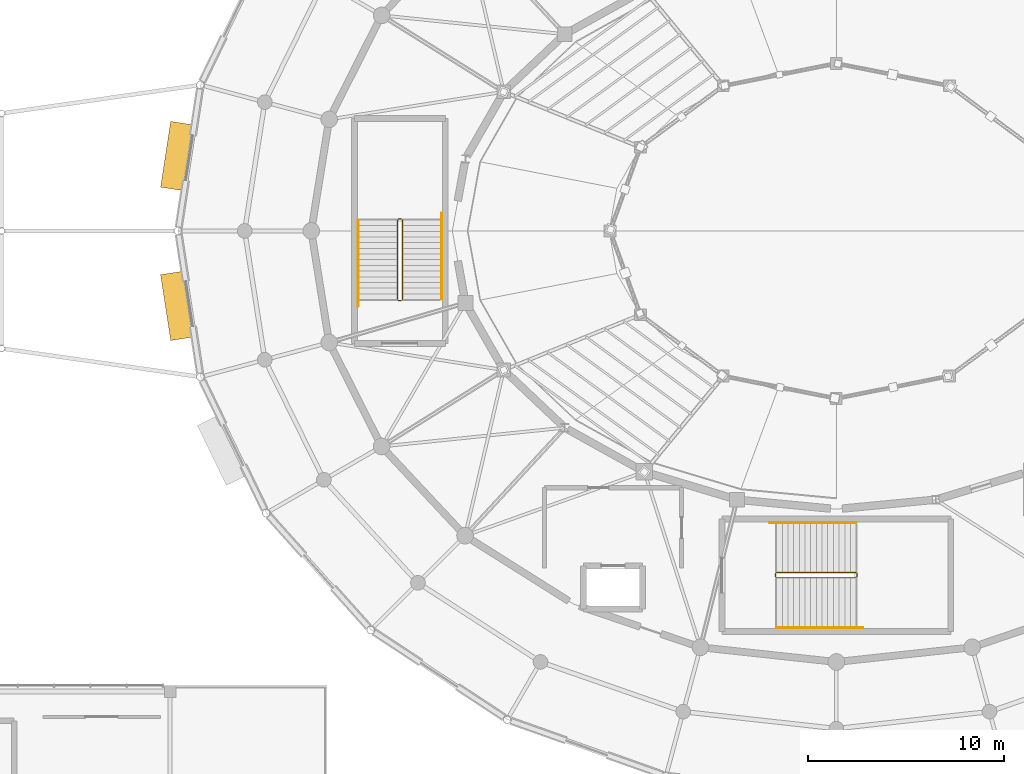
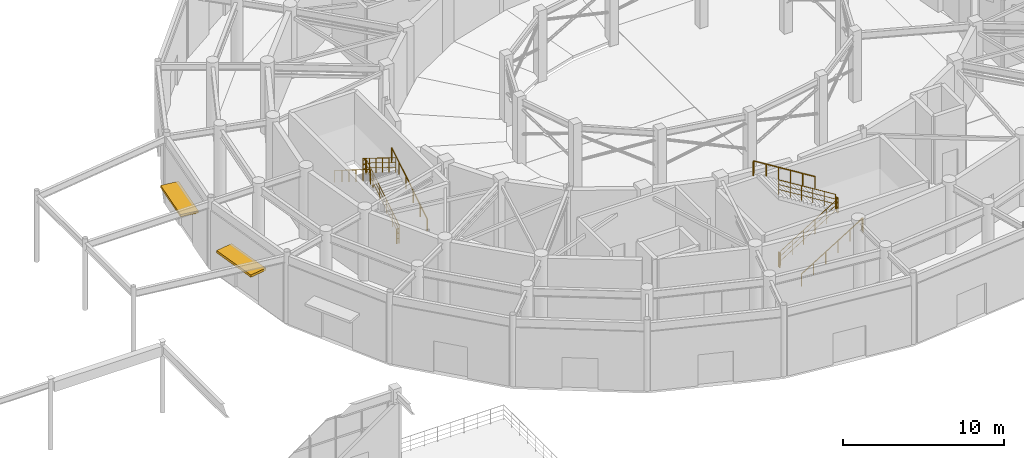
# One storey, part 86 of 93: 12 railings, 2 shading devices.
"""IFC4 building model written with IfcOpenShell, lengths in metres."""

from ifc_helpers import new_model, si_unit, direction, frame, origin, origin_2d, place, context, subcontext, project, spatial, rectangle, circle, extrude, material, type_object, element, save


model = new_model("IFC4")

# Units and contexts
model_context = context("Model", 3, precision=1e-05, world=origin(), true_north=direction((0.0, 1.0)))
body_context = subcontext(model_context, "Body", "Model", "MODEL_VIEW")
ifc_project = project(units=[si_unit("LENGTHUNIT", "METRE"), si_unit("AREAUNIT", "SQUARE_METRE"), si_unit("VOLUMEUNIT", "CUBIC_METRE"), si_unit("PLANEANGLEUNIT", "RADIAN"), si_unit("MASSUNIT", "GRAM", prefix="KILO")], contexts=[model_context])

# Site, building, storey
site_placement = place(None, origin())
site = spatial("IfcSite", under=ifc_project, at=site_placement, CompositionType="ELEMENT")
building_placement = place(site_placement, origin())
building = spatial("IfcBuilding", under=site, at=building_placement, Name="Cinderbank Siding Concert Hall", CompositionType="ELEMENT")
storey_placement = place(building_placement, origin())
storey = spatial("IfcBuildingStorey", under=building, at=storey_placement, Name="L01", CompositionType="ELEMENT", Elevation=0.0)

# Shading devices
ifc_material_1 = material(Name="Anodised aluminium alloy 6063-T6", Category="aluminium")
shading_device_type = type_object("IfcShadingDeviceType", Name="AW-01 Forecourt Entry Sunshade Awning", PredefinedType="AWNING", material=ifc_material_1)
for number, where, z_axis, x_axis, name in (
    (1, (88.359619140625, 47.821044921875, 2.76025390625), (0.0, 0.0, 1.0), (-0.151815048473, -0.988408918949, 0.0), "Arrival Awning 12"),
    (2, (88.359619140625, 40.178955078125, 2.76025390625), (0.0, 0.0, 1.0), (0.151815048473, -0.988408918949, 0.0), "Arrival Awning 13"),
):
    element("IfcShadingDevice", number, at=place(storey_placement, frame(where, z_axis=z_axis, x_axis=x_axis)), inside=storey, type_object=shading_device_type, Name=name, PredefinedType="AWNING", context=body_context, shape_type="SweptSolid", body=[
        extrude(rectangle(XDim=3.39990234375, YDim=1.199951171875, at=origin_2d()), origin(), (0.0, 0.0, 1.0), 0.179931640625),
    ])

# Railings
ifc_material_2 = material(Name="Structural steel AS/NZS 3679.1 Grade 350 (340 MPa)", Category="steel")
railing_type_1 = type_object("IfcRailingType", Name="STG-01 Stair Well Guardrail 1120mm", PredefinedType="GUARDRAIL", material=ifc_material_2)
railing_1_placement = place(storey_placement, frame((118.949951171875, 26.300048828125, 0.179931640625)))
element("IfcRailing", 3, at=railing_1_placement, inside=storey, type_object=railing_type_1, Name="L01 ST-02 stair guard 1", PredefinedType="GUARDRAIL", context=body_context, shape_type="SweptSolid", body=[
    extrude(circle(Radius=0.02392578125, at=origin_2d()), frame((0.0, 0.0, 1.09619140625), z_axis=(0.849641744969, 0.0, 0.527360318194), x_axis=(0.0, 1.0, 0.0)), (0.0, 0.0, 1.0), 4.778564453125),
    extrude(circle(Radius=0.01611328125, at=origin_2d()), frame((0.0, 0.0, 0.36962890625), z_axis=(0.849641744969, 0.0, 0.527360318194), x_axis=(0.0, 1.0, 0.0)), (0.0, 0.0, 1.0), 4.778564453125),
    extrude(circle(Radius=0.01611328125, at=origin_2d()), frame((0.0, 0.0, 0.7392578125), z_axis=(0.849641744969, 0.0, 0.527360318194), x_axis=(0.0, 1.0, 0.0)), (0.0, 0.0, 1.0), 4.778564453125),
    extrude(circle(Radius=0.02099609375, at=origin_2d()), origin(), (0.0, 0.0, 1.0), 1.072021484375),
    extrude(circle(Radius=0.02099609375, at=origin_2d()), frame((0.81201171875, 0.0, 0.50390625)), (0.0, 0.0, 1.0), 1.072021484375),
    extrude(circle(Radius=0.02099609375, at=origin_2d()), frame((1.6240234375, 0.0, 1.008056640625)), (0.0, 0.0, 1.0), 1.072021484375),
    extrude(circle(Radius=0.02099609375, at=origin_2d()), frame((2.43603515625, 0.0, 1.511962890625)), (0.0, 0.0, 1.0), 1.072021484375),
    extrude(circle(Radius=0.02099609375, at=origin_2d()), frame((3.248046875, 0.0, 2.01611328125)), (0.0, 0.0, 1.0), 1.072021484375),
    extrude(circle(Radius=0.02099609375, at=origin_2d()), frame((4.06005859375, 0.0, 2.52001953125)), (0.0, 0.0, 1.0), 1.072021484375),
])
railing_2_placement = place(storey_placement, frame((123.06005859375, 26.35009765625, 2.699951171875)))
element("IfcRailing", 4, at=railing_2_placement, inside=storey, type_object=railing_type_1, Name="L01 ST-02 stair guard 2", PredefinedType="GUARDRAIL", context=body_context, shape_type="SweptSolid", body=[
    extrude(circle(Radius=0.02392578125, at=origin_2d()), frame((0.0, 0.0, 1.09619140625), z_axis=(0.0, 1.0, 0.0), x_axis=(-1.0, 0.0, 0.0)), (0.0, 0.0, 1.0), 0.159912109375),
    extrude(circle(Radius=0.01611328125, at=origin_2d()), frame((0.0, 0.0, 0.36962890625), z_axis=(0.0, 1.0, 0.0), x_axis=(-1.0, 0.0, 0.0)), (0.0, 0.0, 1.0), 0.159912109375),
    extrude(circle(Radius=0.01611328125, at=origin_2d()), frame((0.0, 0.0, 0.7392578125), z_axis=(0.0, 1.0, 0.0), x_axis=(-1.0, 0.0, 0.0)), (0.0, 0.0, 1.0), 0.159912109375),
    extrude(circle(Radius=0.02099609375, at=origin_2d()), origin(), (0.0, 0.0, 1.0), 1.072021484375),
    extrude(circle(Radius=0.02099609375, at=origin_2d()), frame((0.0, 0.159912109375, 0.0)), (0.0, 0.0, 1.0), 1.072021484375),
])
railing_3_placement = place(storey_placement, frame((123.010009765625, 26.56005859375, 2.8798828125)))
element("IfcRailing", 5, at=railing_3_placement, inside=storey, type_object=railing_type_1, Name="L01 ST-02 stair guard 3", PredefinedType="GUARDRAIL", context=body_context, shape_type="SweptSolid", body=[
    extrude(circle(Radius=0.02392578125, at=origin_2d()), frame((0.0, 0.0, 1.09619140625), z_axis=(-0.849641744969, 0.0, 0.527360318194), x_axis=(0.0, -1.0, 0.0)), (0.0, 0.0, 1.0), 4.778564453125),
    extrude(circle(Radius=0.01611328125, at=origin_2d()), frame((0.0, 0.0, 0.36962890625), z_axis=(-0.849641744969, 0.0, 0.527360318194), x_axis=(0.0, -1.0, 0.0)), (0.0, 0.0, 1.0), 4.778564453125),
    extrude(circle(Radius=0.01611328125, at=origin_2d()), frame((0.0, 0.0, 0.7392578125), z_axis=(-0.849641744969, 0.0, 0.527360318194), x_axis=(0.0, -1.0, 0.0)), (0.0, 0.0, 1.0), 4.778564453125),
    extrude(circle(Radius=0.02099609375, at=origin_2d()), origin(), (0.0, 0.0, 1.0), 1.072021484375),
    extrude(circle(Radius=0.02099609375, at=origin_2d()), frame((-0.81201171875, 0.0, 0.50390625)), (0.0, 0.0, 1.0), 1.072021484375),
    extrude(circle(Radius=0.02099609375, at=origin_2d()), frame((-1.6240234375, 0.0, 1.008056640625)), (0.0, 0.0, 1.0), 1.072021484375),
    extrude(circle(Radius=0.02099609375, at=origin_2d()), frame((-2.43603515625, 0.0, 1.511962890625)), (0.0, 0.0, 1.0), 1.072021484375),
    extrude(circle(Radius=0.02099609375, at=origin_2d()), frame((-3.248046875, 0.0, 2.01611328125)), (0.0, 0.0, 1.0), 1.072021484375),
    extrude(circle(Radius=0.02099609375, at=origin_2d()), frame((-4.06005859375, 0.0, 2.52001953125)), (0.0, 0.0, 1.0), 1.072021484375),
])
railing_4_placement = place(storey_placement, frame((118.89990234375, 26.35009765625, 0.0)))
element("IfcRailing", 6, at=railing_4_placement, inside=storey, type_object=railing_type_1, Name="L01 ST-02 stair guard 4", PredefinedType="GUARDRAIL", context=body_context, shape_type="SweptSolid", body=[
    extrude(circle(Radius=0.02392578125, at=origin_2d()), frame((0.0, 0.0, 1.09619140625), z_axis=(0.0, 1.0, 0.0), x_axis=(-1.0, 0.0, 0.0)), (0.0, 0.0, 1.0), 0.159912109375),
    extrude(circle(Radius=0.01611328125, at=origin_2d()), frame((0.0, 0.0, 0.36962890625), z_axis=(0.0, 1.0, 0.0), x_axis=(-1.0, 0.0, 0.0)), (0.0, 0.0, 1.0), 0.159912109375),
    extrude(circle(Radius=0.01611328125, at=origin_2d()), frame((0.0, 0.0, 0.7392578125), z_axis=(0.0, 1.0, 0.0), x_axis=(-1.0, 0.0, 0.0)), (0.0, 0.0, 1.0), 0.159912109375),
    extrude(circle(Radius=0.02099609375, at=origin_2d()), origin(), (0.0, 0.0, 1.0), 1.072021484375),
    extrude(circle(Radius=0.02099609375, at=origin_2d()), frame((0.0, 0.159912109375, 0.0)), (0.0, 0.0, 1.0), 1.072021484375),
])
railing_5_placement = place(storey_placement, frame((99.85009765625, 40.5, 0.179931640625)))
element("IfcRailing", 7, at=railing_5_placement, inside=storey, type_object=railing_type_1, Name="L01 ST-04 stair guard 1", PredefinedType="GUARDRAIL", context=body_context, shape_type="SweptSolid", body=[
    extrude(circle(Radius=0.02392578125, at=origin_2d()), frame((0.0, 0.0, 1.09619140625), z_axis=(0.0, 0.849641744969, 0.527360318194), x_axis=(-1.0, 0.0, 0.0)), (0.0, 0.0, 1.0), 4.778564453125),
    extrude(circle(Radius=0.01611328125, at=origin_2d()), frame((0.0, 0.0, 0.36962890625), z_axis=(0.0, 0.849641744969, 0.527360318194), x_axis=(-1.0, 0.0, 0.0)), (0.0, 0.0, 1.0), 4.778564453125),
    extrude(circle(Radius=0.01611328125, at=origin_2d()), frame((0.0, 0.0, 0.7392578125), z_axis=(0.0, 0.849641744969, 0.527360318194), x_axis=(-1.0, 0.0, 0.0)), (0.0, 0.0, 1.0), 4.778564453125),
    extrude(circle(Radius=0.02099609375, at=origin_2d()), origin(), (0.0, 0.0, 1.0), 1.072021484375),
    extrude(circle(Radius=0.02099609375, at=origin_2d()), frame((0.0, 0.81201171875, 0.50390625)), (0.0, 0.0, 1.0), 1.072021484375),
    extrude(circle(Radius=0.02099609375, at=origin_2d()), frame((0.0, 1.6240234375, 1.008056640625)), (0.0, 0.0, 1.0), 1.072021484375),
    extrude(circle(Radius=0.02099609375, at=origin_2d()), frame((0.0, 2.43603515625, 1.511962890625)), (0.0, 0.0, 1.0), 1.072021484375),
    extrude(circle(Radius=0.02099609375, at=origin_2d()), frame((0.0, 3.248046875, 2.01611328125)), (0.0, 0.0, 1.0), 1.072021484375),
    extrude(circle(Radius=0.02099609375, at=origin_2d()), frame((0.0, 4.06005859375, 2.52001953125)), (0.0, 0.0, 1.0), 1.072021484375),
])
railing_6_placement = place(storey_placement, frame((99.800048828125, 44.610107421875, 2.699951171875)))
element("IfcRailing", 8, at=railing_6_placement, inside=storey, type_object=railing_type_1, Name="L01 ST-04 stair guard 2", PredefinedType="GUARDRAIL", context=body_context, shape_type="SweptSolid", body=[
    extrude(circle(Radius=0.02392578125, at=origin_2d()), frame((0.0, 0.0, 1.09619140625), z_axis=(-1.0, 0.0, 0.0), x_axis=(0.0, -1.0, 0.0)), (0.0, 0.0, 1.0), 0.16015625),
    extrude(circle(Radius=0.01611328125, at=origin_2d()), frame((0.0, 0.0, 0.36962890625), z_axis=(-1.0, 0.0, 0.0), x_axis=(0.0, -1.0, 0.0)), (0.0, 0.0, 1.0), 0.16015625),
    extrude(circle(Radius=0.01611328125, at=origin_2d()), frame((0.0, 0.0, 0.7392578125), z_axis=(-1.0, 0.0, 0.0), x_axis=(0.0, -1.0, 0.0)), (0.0, 0.0, 1.0), 0.16015625),
    extrude(circle(Radius=0.02099609375, at=origin_2d()), origin(), (0.0, 0.0, 1.0), 1.072021484375),
    extrude(circle(Radius=0.02099609375, at=origin_2d()), frame((-0.16015625, 0.0, 0.0)), (0.0, 0.0, 1.0), 1.072021484375),
])
railing_7_placement = place(storey_placement, frame((99.590087890625, 44.56005859375, 2.8798828125)))
element("IfcRailing", 9, at=railing_7_placement, inside=storey, type_object=railing_type_1, Name="L01 ST-04 stair guard 3", PredefinedType="GUARDRAIL", context=body_context, shape_type="SweptSolid", body=[
    extrude(circle(Radius=0.02392578125, at=origin_2d()), frame((0.0, 0.0, 1.09619140625), z_axis=(0.0, -0.849641744969, 0.527360318194), x_axis=(1.0, 0.0, 0.0)), (0.0, 0.0, 1.0), 4.778564453125),
    extrude(circle(Radius=0.01611328125, at=origin_2d()), frame((0.0, 0.0, 0.36962890625), z_axis=(0.0, -0.849641744969, 0.527360318194), x_axis=(1.0, 0.0, 0.0)), (0.0, 0.0, 1.0), 4.778564453125),
    extrude(circle(Radius=0.01611328125, at=origin_2d()), frame((0.0, 0.0, 0.7392578125), z_axis=(0.0, -0.849641744969, 0.527360318194), x_axis=(1.0, 0.0, 0.0)), (0.0, 0.0, 1.0), 4.778564453125),
    extrude(circle(Radius=0.02099609375, at=origin_2d()), origin(), (0.0, 0.0, 1.0), 1.072021484375),
    extrude(circle(Radius=0.02099609375, at=origin_2d()), frame((0.0, -0.81201171875, 0.50390625)), (0.0, 0.0, 1.0), 1.072021484375),
    extrude(circle(Radius=0.02099609375, at=origin_2d()), frame((0.0, -1.6240234375, 1.008056640625)), (0.0, 0.0, 1.0), 1.072021484375),
    extrude(circle(Radius=0.02099609375, at=origin_2d()), frame((0.0, -2.43603515625, 1.511962890625)), (0.0, 0.0, 1.0), 1.072021484375),
    extrude(circle(Radius=0.02099609375, at=origin_2d()), frame((0.0, -3.248046875, 2.01611328125)), (0.0, 0.0, 1.0), 1.072021484375),
    extrude(circle(Radius=0.02099609375, at=origin_2d()), frame((0.0, -4.06005859375, 2.52001953125)), (0.0, 0.0, 1.0), 1.072021484375),
])
railing_8_placement = place(storey_placement, frame((99.800048828125, 40.449951171875, 0.0)))
element("IfcRailing", 10, at=railing_8_placement, inside=storey, type_object=railing_type_1, Name="L01 ST-04 stair guard 4", PredefinedType="GUARDRAIL", context=body_context, shape_type="SweptSolid", body=[
    extrude(circle(Radius=0.02392578125, at=origin_2d()), frame((0.0, 0.0, 1.09619140625), z_axis=(-1.0, 0.0, 0.0), x_axis=(0.0, -1.0, 0.0)), (0.0, 0.0, 1.0), 0.16015625),
    extrude(circle(Radius=0.01611328125, at=origin_2d()), frame((0.0, 0.0, 0.36962890625), z_axis=(-1.0, 0.0, 0.0), x_axis=(0.0, -1.0, 0.0)), (0.0, 0.0, 1.0), 0.16015625),
    extrude(circle(Radius=0.01611328125, at=origin_2d()), frame((0.0, 0.0, 0.7392578125), z_axis=(-1.0, 0.0, 0.0), x_axis=(0.0, -1.0, 0.0)), (0.0, 0.0, 1.0), 0.16015625),
    extrude(circle(Radius=0.02099609375, at=origin_2d()), origin(), (0.0, 0.0, 1.0), 1.072021484375),
    extrude(circle(Radius=0.02099609375, at=origin_2d()), frame((-0.16015625, 0.0, 0.0)), (0.0, 0.0, 1.0), 1.072021484375),
])
railing_type_2 = type_object("IfcRailingType", Name="STH-01 Stair Pitch Handrail 920mm", PredefinedType="HANDRAIL", material=ifc_material_2)
railing_9_placement = place(storey_placement, frame((118.949951171875, 23.75, 0.179931640625)))
element("IfcRailing", 11, at=railing_9_placement, inside=storey, type_object=railing_type_2, Name="L01 ST-02 stair handrail 1", PredefinedType="HANDRAIL", context=body_context, shape_type="SweptSolid", body=[
    extrude(circle(Radius=0.02392578125, at=origin_2d()), frame((0.0, 0.0, 0.89599609375), z_axis=(0.849649743971, 0.0, 0.527347430608), x_axis=(0.0, 1.0, 0.0)), (0.0, 0.0, 1.0), 5.119873046875),
    extrude(circle(Radius=0.02392578125, at=origin_2d()), frame((4.35009765625, 0.0, 3.595703125), z_axis=(1.0, 0.0, 0.0), x_axis=(0.0, 1.0, 0.0)), (0.0, 0.0, 1.0), 0.06005859375),
    extrude(circle(Radius=0.02099609375, at=origin_2d()), origin(), (0.0, 0.0, 1.0), 0.871826171875),
    extrude(circle(Radius=0.02099609375, at=origin_2d()), frame((0.8701171875, 0.0, 0.5400390625)), (0.0, 0.0, 1.0), 0.871826171875),
    extrude(circle(Radius=0.02099609375, at=origin_2d()), frame((1.739990234375, 0.0, 1.080078125)), (0.0, 0.0, 1.0), 0.871826171875),
    extrude(circle(Radius=0.02099609375, at=origin_2d()), frame((2.610107421875, 0.0, 1.619873046875)), (0.0, 0.0, 1.0), 0.871826171875),
    extrude(circle(Radius=0.02099609375, at=origin_2d()), frame((3.47998046875, 0.0, 2.159912109375)), (0.0, 0.0, 1.0), 0.871826171875),
    extrude(circle(Radius=0.02099609375, at=origin_2d()), frame((4.35009765625, 0.0, 2.699951171875)), (0.0, 0.0, 1.0), 0.871826171875),
    extrude(circle(Radius=0.02099609375, at=origin_2d()), frame((4.41015625, 0.0, 2.52001953125)), (0.0, 0.0, 1.0), 1.0517578125),
])
railing_10_placement = place(storey_placement, frame((123.010009765625, 29.110107421875, 2.8798828125)))
element("IfcRailing", 12, at=railing_10_placement, inside=storey, type_object=railing_type_2, Name="L01 ST-02 stair handrail 2", PredefinedType="HANDRAIL", context=body_context, shape_type="SweptSolid", body=[
    extrude(circle(Radius=0.02392578125, at=origin_2d()), frame((0.0, 0.0, 0.89599609375), z_axis=(-0.849628378081, 0.0, 0.527381853271), x_axis=(0.0, -1.0, 0.0)), (0.0, 0.0, 1.0), 5.1201171875),
    extrude(circle(Radius=0.02392578125, at=origin_2d()), frame((-4.35009765625, 0.0, 3.59619140625), z_axis=(-1.0, 0.0, 0.0), x_axis=(0.0, -1.0, 0.0)), (0.0, 0.0, 1.0), 0.059814453125),
    extrude(circle(Radius=0.02099609375, at=origin_2d()), origin(), (0.0, 0.0, 1.0), 0.871826171875),
    extrude(circle(Radius=0.02099609375, at=origin_2d()), frame((-0.8701171875, 0.0, 0.5400390625)), (0.0, 0.0, 1.0), 0.871826171875),
    extrude(circle(Radius=0.02099609375, at=origin_2d()), frame((-1.739990234375, 0.0, 1.080078125)), (0.0, 0.0, 1.0), 0.871826171875),
    extrude(circle(Radius=0.02099609375, at=origin_2d()), frame((-2.610107421875, 0.0, 1.6201171875)), (0.0, 0.0, 1.0), 0.871826171875),
    extrude(circle(Radius=0.02099609375, at=origin_2d()), frame((-3.47998046875, 0.0, 2.16015625)), (0.0, 0.0, 1.0), 0.871826171875),
    extrude(circle(Radius=0.02099609375, at=origin_2d()), frame((-4.35009765625, 0.0, 2.7001953125)), (0.0, 0.0, 1.0), 0.871826171875),
    extrude(circle(Radius=0.02099609375, at=origin_2d()), frame((-4.409912109375, 0.0, 2.520263671875)), (0.0, 0.0, 1.0), 1.0517578125),
])
railing_11_placement = place(storey_placement, frame((101.85009765625, 40.5, 0.179931640625)))
element("IfcRailing", 13, at=railing_11_placement, inside=storey, type_object=railing_type_2, Name="L01 ST-04 stair handrail 1", PredefinedType="HANDRAIL", context=body_context, shape_type="SweptSolid", body=[
    extrude(circle(Radius=0.02392578125, at=origin_2d()), frame((0.0, 0.0, 0.89599609375), z_axis=(0.0, 0.849649743971, 0.527347430608), x_axis=(-1.0, 0.0, 0.0)), (0.0, 0.0, 1.0), 5.119873046875),
    extrude(circle(Radius=0.02392578125, at=origin_2d()), frame((0.0, 4.35009765625, 3.595703125), z_axis=(0.0, 1.0, 0.0), x_axis=(-1.0, 0.0, 0.0)), (0.0, 0.0, 1.0), 0.059814453125),
    extrude(circle(Radius=0.02099609375, at=origin_2d()), origin(), (0.0, 0.0, 1.0), 0.871826171875),
    extrude(circle(Radius=0.02099609375, at=origin_2d()), frame((0.0, 0.8701171875, 0.5400390625)), (0.0, 0.0, 1.0), 0.871826171875),
    extrude(circle(Radius=0.02099609375, at=origin_2d()), frame((0.0, 1.739990234375, 1.080078125)), (0.0, 0.0, 1.0), 0.871826171875),
    extrude(circle(Radius=0.02099609375, at=origin_2d()), frame((0.0, 2.610107421875, 1.619873046875)), (0.0, 0.0, 1.0), 0.871826171875),
    extrude(circle(Radius=0.02099609375, at=origin_2d()), frame((0.0, 3.47998046875, 2.159912109375)), (0.0, 0.0, 1.0), 0.871826171875),
    extrude(circle(Radius=0.02099609375, at=origin_2d()), frame((0.0, 4.35009765625, 2.699951171875)), (0.0, 0.0, 1.0), 0.871826171875),
    extrude(circle(Radius=0.02099609375, at=origin_2d()), frame((0.0, 4.409912109375, 2.52001953125)), (0.0, 0.0, 1.0), 1.0517578125),
])
railing_12_placement = place(storey_placement, frame((97.590087890625, 44.56005859375, 2.8798828125)))
element("IfcRailing", 14, at=railing_12_placement, inside=storey, type_object=railing_type_2, Name="L01 ST-04 stair handrail 2", PredefinedType="HANDRAIL", context=body_context, shape_type="SweptSolid", body=[
    extrude(circle(Radius=0.02392578125, at=origin_2d()), frame((0.0, 0.0, 0.89599609375), z_axis=(0.0, -0.849628378081, 0.527381853271), x_axis=(1.0, 0.0, 0.0)), (0.0, 0.0, 1.0), 5.1201171875),
    extrude(circle(Radius=0.02392578125, at=origin_2d()), frame((0.0, -4.35009765625, 3.59619140625), z_axis=(0.0, -1.0, 0.0), x_axis=(1.0, 0.0, 0.0)), (0.0, 0.0, 1.0), 0.06005859375),
    extrude(circle(Radius=0.02099609375, at=origin_2d()), origin(), (0.0, 0.0, 1.0), 0.871826171875),
    extrude(circle(Radius=0.02099609375, at=origin_2d()), frame((0.0, -0.8701171875, 0.5400390625)), (0.0, 0.0, 1.0), 0.871826171875),
    extrude(circle(Radius=0.02099609375, at=origin_2d()), frame((0.0, -1.739990234375, 1.080078125)), (0.0, 0.0, 1.0), 0.871826171875),
    extrude(circle(Radius=0.02099609375, at=origin_2d()), frame((0.0, -2.610107421875, 1.6201171875)), (0.0, 0.0, 1.0), 0.871826171875),
    extrude(circle(Radius=0.02099609375, at=origin_2d()), frame((0.0, -3.47998046875, 2.16015625)), (0.0, 0.0, 1.0), 0.871826171875),
    extrude(circle(Radius=0.02099609375, at=origin_2d()), frame((0.0, -4.35009765625, 2.7001953125)), (0.0, 0.0, 1.0), 0.871826171875),
    extrude(circle(Radius=0.02099609375, at=origin_2d()), frame((0.0, -4.41015625, 2.520263671875)), (0.0, 0.0, 1.0), 1.0517578125),
])

save(model, "model.ifc")
